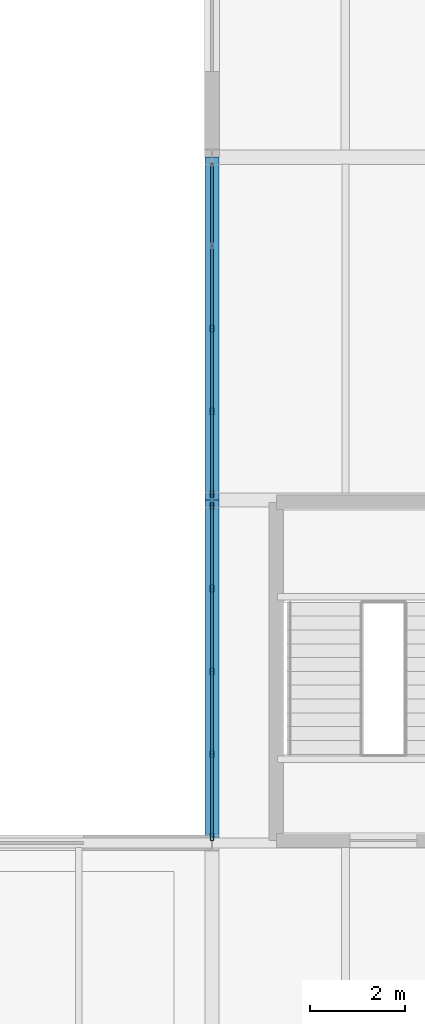
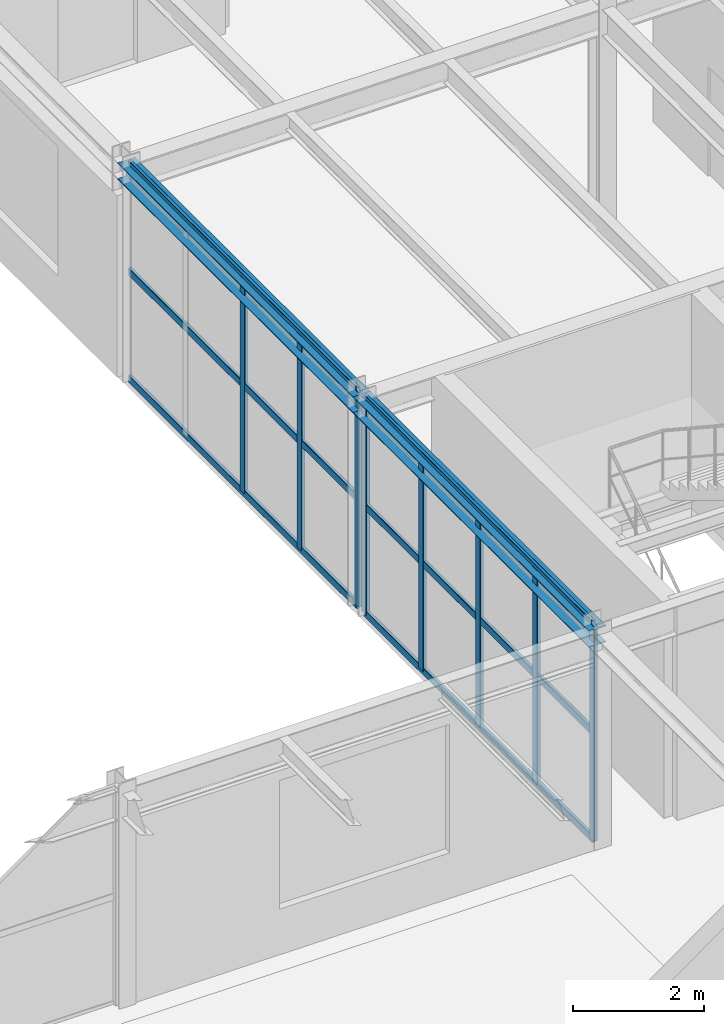
# One storey, part 34 of 73: 14 members, 2 beams, 2 elements without a shape of their own.
"""IFC4 building model written with IfcOpenShell, lengths in metres."""

from ifc_helpers import new_model, si_unit, derived_unit, direction, frame, origin, origin_2d, place, context, subcontext, project, spatial, hollow_rectangle, i_section, extrude, material, material_profile, profile_set, type_object, element, aggregate, save


model = new_model("IFC4")

# Units and contexts
model_context = context("Model", 3, precision=1e-05, world=origin(), true_north=direction((0.0, 1.0)))
body_context = subcontext(model_context, "Body", "Model", "MODEL_VIEW")
ifc_project = project(units=[si_unit("LENGTHUNIT", "METRE"), si_unit("AREAUNIT", "SQUARE_METRE"), si_unit("VOLUMEUNIT", "CUBIC_METRE"), si_unit("PLANEANGLEUNIT", "RADIAN"), si_unit("MASSUNIT", "GRAM", prefix="KILO"), derived_unit("THERMALTRANSMITTANCEUNIT", [(si_unit("MASSUNIT", "GRAM", prefix="KILO"), 1), (si_unit("TIMEUNIT", "SECOND"), -3), (si_unit("THERMODYNAMICTEMPERATUREUNIT", "KELVIN"), -1)])], contexts=[model_context])

# Site, building, storey
site_placement = place(None, origin())
site = spatial("IfcSite", under=ifc_project, at=site_placement, CompositionType="ELEMENT")
building_placement = place(site_placement, origin())
building = spatial("IfcBuilding", under=site, at=building_placement, Name="Kharveza Railside Sports Centre", CompositionType="ELEMENT")
storey_placement = place(building_placement, frame((0.0, 0.0, 8.699951171875)))
storey = spatial("IfcBuildingStorey", under=building, at=storey_placement, Name="L02", CompositionType="ELEMENT", Elevation=8.699951171875)

# Beams
ifc_material_1 = material(Name="Steel S355J2", Category="steel")
ifc_material_profile_1 = material_profile(ifc_material_1, i_section(OverallWidth=0.300048828125, OverallDepth=0.31005859375, WebThickness=0.009033203125, FlangeThickness=0.015380859375, FilletRadius=0.027099609375, at=origin_2d()), Name="HEA 320")
ifc_profile_set_1 = profile_set([ifc_material_profile_1], Name="Steel S355J2")
beam_type = type_object("IfcBeamType", Name="BM-S06", PredefinedType="BEAM", material=ifc_profile_set_1)
for number, where, z_axis, x_axis, name in (
    (1, (142.800048828125, 36.0, 3.844970703125), (0.0, 1.0, 0.0), (-1.0, 0.0, 0.0), "BM-NS-L02-B14-X1428-Y360"),
    (2, (142.800048828125, 43.199951171875, 3.844970703125), (0.0, 1.0, 0.0), (-1.0, 0.0, 0.0), "BM-NS-L02-B14-X1428-Y432"),
):
    element("IfcBeam", number, at=place(storey_placement, frame(where, z_axis=z_axis, x_axis=x_axis)), inside=storey, type_object=beam_type, Name=name, PredefinedType="BEAM", context=body_context, shape_type="SweptSolid", body=[
        extrude(i_section(OverallWidth=0.300048828125, OverallDepth=0.31005859375, WebThickness=0.009033203125, FlangeThickness=0.015380859375, FilletRadius=0.027099609375, at=origin_2d()), origin(), (0.0, 0.0, 1.0), 7.199951171875),
    ])

# Curtain wall, members
ifc_material_2 = material(Name="Low-E solar-control laminated glass", Category="glass")
curtain_wall_type = type_object("IfcCurtainWallType", Name="CW-WG02", PredefinedType="NOTDEFINED", material=ifc_material_2)
curtain_wall_1_placement = place(storey_placement, origin())
curtain_wall_1 = element("IfcCurtainWall", 3, at=curtain_wall_1_placement, inside=storey, type_object=curtain_wall_type, Name="CW-WG-L02-CW-WG02-X1428-Y468", PredefinedType="NOTDEFINED")
ifc_material_3 = material(Name="Anodised aluminium 6063-T6", Category="aluminium")
ifc_material_profile_2 = material_profile(ifc_material_3, hollow_rectangle(XDim=0.06494140625, YDim=0.14990234375, WallThickness=0.0048828125, InnerFilletRadius=0.0048828125, OuterFilletRadius=0.010009765625, at=origin_2d()), Name="RHS 65x150x5.0")
ifc_profile_set_2 = profile_set([ifc_material_profile_2], Name="Anodised aluminium 6063-T6")
member_type_1 = type_object("IfcMemberType", Name="CW-ML04", PredefinedType="MULLION", material=ifc_profile_set_2)
member_1_placement = place(storey_placement, frame((142.800048828125, 46.800048828125, 0.0), z_axis=(0.0, 0.0, 1.0), x_axis=(1.0, 0.0, 0.0)))
member_1 = element("IfcMember", 4, at=member_1_placement, type_object=member_type_1, Name="CW-WG-L02-CW-WG02-X1428-Y468-ML3", PredefinedType="MULLION", context=body_context, shape_type="SweptSolid", body=[
    extrude(hollow_rectangle(XDim=0.06494140625, YDim=0.14990234375, WallThickness=0.0048828125, InnerFilletRadius=0.0048828125, OuterFilletRadius=0.010009765625, at=origin_2d()), origin(), (0.0, 0.0, 1.0), 4.0),
])
member_2_placement = place(storey_placement, frame((142.800048828125, 45.06005859375, 0.0), z_axis=(0.0, 0.0, 1.0), x_axis=(1.0, 0.0, 0.0)))
member_2 = element("IfcMember", 5, at=member_2_placement, type_object=member_type_1, Name="CW-WG-L02-CW-WG02-X1428-Y468-ML4", PredefinedType="MULLION", context=body_context, shape_type="SweptSolid", body=[
    extrude(hollow_rectangle(XDim=0.06494140625, YDim=0.14990234375, WallThickness=0.0048828125, InnerFilletRadius=0.0048828125, OuterFilletRadius=0.010009765625, at=origin_2d()), origin(), (0.0, 0.0, 1.0), 4.0),
])
member_3_placement = place(storey_placement, frame((142.800048828125, 43.320068359375, 0.0), z_axis=(0.0, 0.0, 1.0), x_axis=(1.0, 0.0, 0.0)))
member_3 = element("IfcMember", 6, at=member_3_placement, type_object=member_type_1, Name="CW-WG-L02-CW-WG02-X1428-Y468-ML5", PredefinedType="MULLION", context=body_context, shape_type="SweptSolid", body=[
    extrude(hollow_rectangle(XDim=0.06494140625, YDim=0.14990234375, WallThickness=0.0048828125, InnerFilletRadius=0.0048828125, OuterFilletRadius=0.010009765625, at=origin_2d()), origin(), (0.0, 0.0, 1.0), 4.0),
])

curtain_wall_2_placement = place(storey_placement, origin())
curtain_wall_2 = element("IfcCurtainWall", 7, at=curtain_wall_2_placement, inside=storey, type_object=curtain_wall_type, Name="CW-WG-L02-CW-WG02-X1428-Y396", PredefinedType="NOTDEFINED")
member_4_placement = place(storey_placement, frame((142.800048828125, 43.080078125, 0.0), z_axis=(0.0, 0.0, 1.0), x_axis=(1.0, 0.0, 0.0)))
member_4 = element("IfcMember", 8, at=member_4_placement, type_object=member_type_1, Name="CW-WG-L02-CW-WG02-X1428-Y396-ML1", PredefinedType="MULLION", context=body_context, shape_type="SweptSolid", body=[
    extrude(hollow_rectangle(XDim=0.06494140625, YDim=0.14990234375, WallThickness=0.0048828125, InnerFilletRadius=0.0048828125, OuterFilletRadius=0.010009765625, at=origin_2d()), origin(), (0.0, 0.0, 1.0), 4.0),
])
member_5_placement = place(storey_placement, frame((142.800048828125, 41.340087890625, 0.0), z_axis=(0.0, 0.0, 1.0), x_axis=(1.0, 0.0, 0.0)))
member_5 = element("IfcMember", 9, at=member_5_placement, type_object=member_type_1, Name="CW-WG-L02-CW-WG02-X1428-Y396-ML2", PredefinedType="MULLION", context=body_context, shape_type="SweptSolid", body=[
    extrude(hollow_rectangle(XDim=0.06494140625, YDim=0.14990234375, WallThickness=0.0048828125, InnerFilletRadius=0.0048828125, OuterFilletRadius=0.010009765625, at=origin_2d()), origin(), (0.0, 0.0, 1.0), 4.0),
])
member_6_placement = place(storey_placement, frame((142.800048828125, 39.60009765625, 0.0), z_axis=(0.0, 0.0, 1.0), x_axis=(1.0, 0.0, 0.0)))
member_6 = element("IfcMember", 10, at=member_6_placement, type_object=member_type_1, Name="CW-WG-L02-CW-WG02-X1428-Y396-ML3", PredefinedType="MULLION", context=body_context, shape_type="SweptSolid", body=[
    extrude(hollow_rectangle(XDim=0.06494140625, YDim=0.14990234375, WallThickness=0.0048828125, InnerFilletRadius=0.0048828125, OuterFilletRadius=0.010009765625, at=origin_2d()), origin(), (0.0, 0.0, 1.0), 4.0),
])
member_7_placement = place(storey_placement, frame((142.800048828125, 37.860107421875, 0.0), z_axis=(0.0, 0.0, 1.0), x_axis=(1.0, 0.0, 0.0)))
member_7 = element("IfcMember", 11, at=member_7_placement, type_object=member_type_1, Name="CW-WG-L02-CW-WG02-X1428-Y396-ML4", PredefinedType="MULLION", context=body_context, shape_type="SweptSolid", body=[
    extrude(hollow_rectangle(XDim=0.06494140625, YDim=0.14990234375, WallThickness=0.0048828125, InnerFilletRadius=0.0048828125, OuterFilletRadius=0.010009765625, at=origin_2d()), origin(), (0.0, 0.0, 1.0), 4.0),
])
member_8_placement = place(storey_placement, frame((142.800048828125, 36.1201171875, 0.0), z_axis=(0.0, 0.0, 1.0), x_axis=(1.0, 0.0, 0.0)))
member_8 = element("IfcMember", 12, at=member_8_placement, type_object=member_type_1, Name="CW-WG-L02-CW-WG02-X1428-Y396-ML5", PredefinedType="MULLION", context=body_context, shape_type="SweptSolid", body=[
    extrude(hollow_rectangle(XDim=0.06494140625, YDim=0.14990234375, WallThickness=0.0048828125, InnerFilletRadius=0.0048828125, OuterFilletRadius=0.010009765625, at=origin_2d()), origin(), (0.0, 0.0, 1.0), 4.0),
])

# Member
ifc_material_profile_3 = material_profile(ifc_material_3, hollow_rectangle(XDim=0.06005859375, YDim=0.139892578125, WallThickness=0.0048828125, InnerFilletRadius=0.0048828125, OuterFilletRadius=0.010009765625, at=origin_2d()), Name="RHS 60x140x5.0")
ifc_profile_set_3 = profile_set([ifc_material_profile_3], Name="Anodised aluminium 6063-T6")
member_type_2 = type_object("IfcMemberType", Name="CW-TR04", PredefinedType="USERDEFINED", material=ifc_profile_set_3)
member_9_placement = place(storey_placement, frame((142.800048828125, 50.280029296875, 0.0), z_axis=(0.0, -1.0, 0.0), x_axis=(1.0, 0.0, 0.0)))
member_9 = element("IfcMember", 13, at=member_9_placement, type_object=member_type_2, Name="CW-WG-L02-CW-WG02-X1428-Y468-TR1", ObjectType="TRANSOM", PredefinedType="USERDEFINED", context=body_context, shape_type="SweptSolid", body=[
    extrude(hollow_rectangle(XDim=0.06005859375, YDim=0.139892578125, WallThickness=0.0048828125, InnerFilletRadius=0.0048828125, OuterFilletRadius=0.010009765625, at=origin_2d()), origin(), (0.0, 0.0, 1.0), 6.9599609375),
])

member_10_placement = place(storey_placement, frame((142.800048828125, 50.280029296875, 2.0), z_axis=(0.0, -1.0, 0.0), x_axis=(1.0, 0.0, 0.0)))
member_10 = element("IfcMember", 14, at=member_10_placement, type_object=member_type_2, Name="CW-WG-L02-CW-WG02-X1428-Y468-TR2", ObjectType="TRANSOM", PredefinedType="USERDEFINED", context=body_context, shape_type="SweptSolid", body=[
    extrude(hollow_rectangle(XDim=0.06005859375, YDim=0.139892578125, WallThickness=0.0048828125, InnerFilletRadius=0.0048828125, OuterFilletRadius=0.010009765625, at=origin_2d()), origin(), (0.0, 0.0, 1.0), 6.9599609375),
])

member_11_placement = place(storey_placement, frame((142.800048828125, 50.280029296875, 4.0), z_axis=(0.0, -1.0, 0.0), x_axis=(1.0, 0.0, 0.0)))
member_11 = element("IfcMember", 15, at=member_11_placement, type_object=member_type_2, Name="CW-WG-L02-CW-WG02-X1428-Y468-TR3", ObjectType="TRANSOM", PredefinedType="USERDEFINED", context=body_context, shape_type="SweptSolid", body=[
    extrude(hollow_rectangle(XDim=0.06005859375, YDim=0.139892578125, WallThickness=0.0048828125, InnerFilletRadius=0.0048828125, OuterFilletRadius=0.010009765625, at=origin_2d()), origin(), (0.0, 0.0, 1.0), 6.9599609375),
])

aggregate(curtain_wall_1, [member_1, member_2, member_3, member_9, member_10, member_11])

member_12_placement = place(storey_placement, frame((142.800048828125, 43.080078125, 0.0), z_axis=(0.0, -1.0, 0.0), x_axis=(1.0, 0.0, 0.0)))
member_12 = element("IfcMember", 16, at=member_12_placement, type_object=member_type_2, Name="CW-WG-L02-CW-WG02-X1428-Y396-TR1", ObjectType="TRANSOM", PredefinedType="USERDEFINED", context=body_context, shape_type="SweptSolid", body=[
    extrude(hollow_rectangle(XDim=0.06005859375, YDim=0.139892578125, WallThickness=0.0048828125, InnerFilletRadius=0.0048828125, OuterFilletRadius=0.010009765625, at=origin_2d()), origin(), (0.0, 0.0, 1.0), 6.9599609375),
])

member_13_placement = place(storey_placement, frame((142.800048828125, 43.080078125, 2.0), z_axis=(0.0, -1.0, 0.0), x_axis=(1.0, 0.0, 0.0)))
member_13 = element("IfcMember", 17, at=member_13_placement, type_object=member_type_2, Name="CW-WG-L02-CW-WG02-X1428-Y396-TR2", ObjectType="TRANSOM", PredefinedType="USERDEFINED", context=body_context, shape_type="SweptSolid", body=[
    extrude(hollow_rectangle(XDim=0.06005859375, YDim=0.139892578125, WallThickness=0.0048828125, InnerFilletRadius=0.0048828125, OuterFilletRadius=0.010009765625, at=origin_2d()), origin(), (0.0, 0.0, 1.0), 6.9599609375),
])

member_14_placement = place(storey_placement, frame((142.800048828125, 43.080078125, 4.0), z_axis=(0.0, -1.0, 0.0), x_axis=(1.0, 0.0, 0.0)))
member_14 = element("IfcMember", 18, at=member_14_placement, type_object=member_type_2, Name="CW-WG-L02-CW-WG02-X1428-Y396-TR3", ObjectType="TRANSOM", PredefinedType="USERDEFINED", context=body_context, shape_type="SweptSolid", body=[
    extrude(hollow_rectangle(XDim=0.06005859375, YDim=0.139892578125, WallThickness=0.0048828125, InnerFilletRadius=0.0048828125, OuterFilletRadius=0.010009765625, at=origin_2d()), origin(), (0.0, 0.0, 1.0), 6.9599609375),
])

aggregate(curtain_wall_2, [member_4, member_5, member_6, member_7, member_8, member_12, member_13, member_14])

save(model, "model.ifc")
